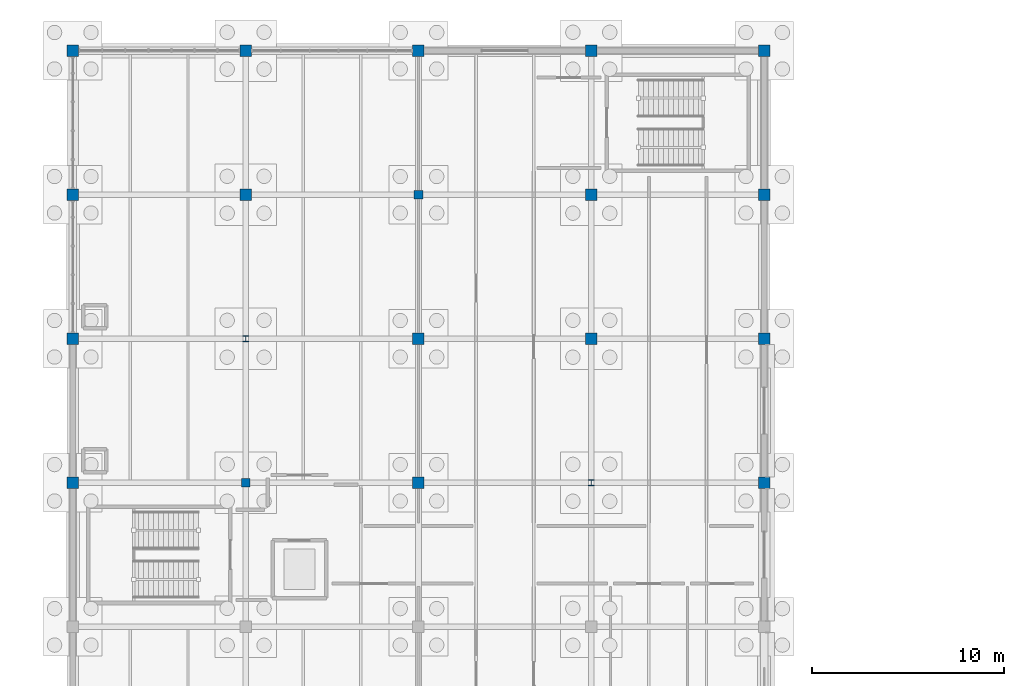
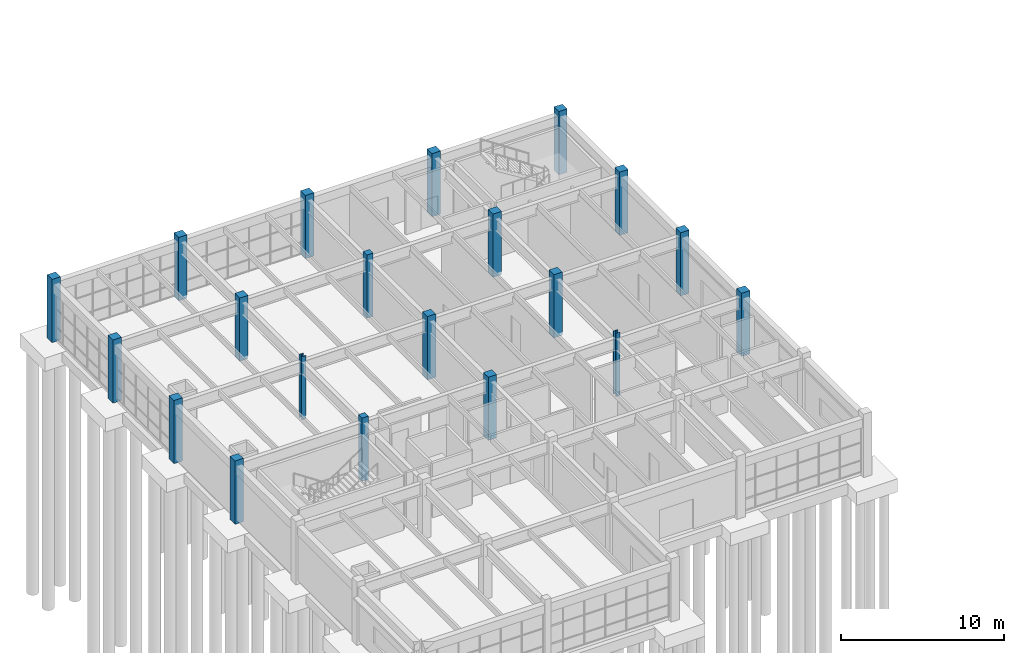
# One storey, part 12 of 93: 20 columns.
"""IFC4 building model written with IfcOpenShell, lengths in metres."""

from ifc_helpers import new_model, si_unit, direction, frame, origin, origin_2d, place, context, subcontext, project, spatial, rectangle, i_section, extrude, material, material_profile, profile_set, type_object, element, save


model = new_model("IFC4")

# Units and contexts
model_context = context("Model", 3, precision=1e-05, world=origin(), true_north=direction((0.0, 1.0)))
body_context = subcontext(model_context, "Body", "Model", "MODEL_VIEW")
ifc_project = project(units=[si_unit("LENGTHUNIT", "METRE"), si_unit("AREAUNIT", "SQUARE_METRE"), si_unit("VOLUMEUNIT", "CUBIC_METRE"), si_unit("PLANEANGLEUNIT", "RADIAN"), si_unit("MASSUNIT", "GRAM", prefix="KILO")], contexts=[model_context])

# Site, building, storey
site_placement = place(None, origin())
site = spatial("IfcSite", under=ifc_project, at=site_placement, CompositionType="ELEMENT")
building_placement = place(site_placement, origin())
building = spatial("IfcBuilding", under=site, at=building_placement, Name="Marnridge Secondary College", CompositionType="ELEMENT")
storey_placement = place(building_placement, origin())
storey = spatial("IfcBuildingStorey", under=building, at=storey_placement, Name="L00", CompositionType="ELEMENT", Elevation=0.0)

# Columns
ifc_material_1 = material(Name="Concrete C40/50 (AS 3600 N40, 40 MPa)", Category="concrete")
ifc_material_profile_1 = material_profile(ifc_material_1, rectangle(XDim=0.449951171875, YDim=0.449951171875, at=origin_2d()), Name="RC 450x450")
ifc_profile_set_1 = profile_set([ifc_material_profile_1], Name="Concrete C40/50 (AS 3600 N40, 40 MPa)")
column_type_1 = type_object("IfcColumnType", Name="CL-RC450-INT", PredefinedType="COLUMN", material=ifc_profile_set_1)
for number, where, z_axis, x_axis, name in (
    (1, (9.0, 97.5, -0.25), (0.0, 0.0, 1.0), (1.0, 0.0, 0.0), "Column C-L00-0533"),
    (2, (18.0, 112.5, -0.25), (0.0, 0.0, 1.0), (1.0, 0.0, 0.0), "Column C-L00-0589"),
):
    element("IfcColumn", number, at=place(storey_placement, frame(where, z_axis=z_axis, x_axis=x_axis)), inside=storey, type_object=column_type_1, Name=name, PredefinedType="COLUMN", context=body_context, shape_type="SweptSolid", body=[
        extrude(rectangle(XDim=0.449951171875, YDim=0.449951171875, at=origin_2d()), origin(), (0.0, 0.0, 1.0), 4.75),
    ])
ifc_material_2 = material(Name="Concrete C40/50 (AS 3600 N40, 40 MPa)", Category="concrete")
ifc_material_profile_2 = material_profile(ifc_material_2, rectangle(XDim=0.60009765625, YDim=0.60009765625, at=origin_2d()), Name="RC 600x600")
ifc_profile_set_2 = profile_set([ifc_material_profile_2], Name="Concrete C40/50 (AS 3600 N40, 40 MPa)")
column_type_2 = type_object("IfcColumnType", Name="CL-RC600-EXT", PredefinedType="COLUMN", material=ifc_profile_set_2)
for number, where, z_axis, x_axis, name in (
    (3, (0.0, 97.5, -0.25), (0.0, 0.0, 1.0), (1.0, 0.0, 0.0), "Column C-L00-0529"),
    (4, (36.0, 97.5, -0.25), (0.0, 0.0, 1.0), (1.0, 0.0, 0.0), "Column C-L00-0545"),
    (5, (0.0, 105.0, -0.25), (0.0, 0.0, 1.0), (1.0, 0.0, 0.0), "Column C-L00-0555"),
    (6, (36.0, 105.0, -0.25), (0.0, 0.0, 1.0), (1.0, 0.0, 0.0), "Column C-L00-0571"),
    (7, (0.0, 112.5, -0.25), (0.0, 0.0, 1.0), (1.0, 0.0, 0.0), "Column C-L00-0581"),
    (8, (36.0, 112.5, -0.25), (0.0, 0.0, 1.0), (1.0, 0.0, 0.0), "Column C-L00-0597"),
    (9, (0.0, 120.0, -0.25), (0.0, 0.0, 1.0), (1.0, 0.0, 0.0), "Column C-L00-0607"),
    (10, (9.0, 120.0, -0.25), (0.0, 0.0, 1.0), (1.0, 0.0, 0.0), "Column C-L00-0611"),
    (11, (18.0, 120.0, -0.25), (0.0, 0.0, 1.0), (1.0, 0.0, 0.0), "Column C-L00-0615"),
    (12, (27.0, 120.0, -0.25), (0.0, 0.0, 1.0), (1.0, 0.0, 0.0), "Column C-L00-0619"),
    (13, (36.0, 120.0, -0.25), (0.0, 0.0, 1.0), (1.0, 0.0, 0.0), "Column C-L00-0623"),
):
    element("IfcColumn", number, at=place(storey_placement, frame(where, z_axis=z_axis, x_axis=x_axis)), inside=storey, type_object=column_type_2, Name=name, PredefinedType="COLUMN", context=body_context, shape_type="SweptSolid", body=[
        extrude(rectangle(XDim=0.60009765625, YDim=0.60009765625, at=origin_2d()), origin(), (0.0, 0.0, 1.0), 4.75),
    ])
ifc_material_3 = material(Name="Concrete C40/50 (AS 3600 N40, 40 MPa)", Category="concrete")
ifc_material_profile_3 = material_profile(ifc_material_3, rectangle(XDim=0.60009765625, YDim=0.60009765625, at=origin_2d()), Name="RC 600x600")
ifc_profile_set_3 = profile_set([ifc_material_profile_3], Name="Concrete C40/50 (AS 3600 N40, 40 MPa)")
column_type_3 = type_object("IfcColumnType", Name="CL-RC600-INT", PredefinedType="COLUMN", material=ifc_profile_set_3)
for number, where, z_axis, x_axis, name in (
    (14, (18.0, 97.5, -0.25), (0.0, 0.0, 1.0), (1.0, 0.0, 0.0), "Column C-L00-0537"),
    (15, (18.0, 105.0, -0.25), (0.0, 0.0, 1.0), (1.0, 0.0, 0.0), "Column C-L00-0563"),
    (16, (27.0, 105.0, -0.25), (0.0, 0.0, 1.0), (1.0, 0.0, 0.0), "Column C-L00-0567"),
    (17, (9.0, 112.5, -0.25), (0.0, 0.0, 1.0), (1.0, 0.0, 0.0), "Column C-L00-0585"),
    (18, (27.0, 112.5, -0.25), (0.0, 0.0, 1.0), (1.0, 0.0, 0.0), "Column C-L00-0593"),
):
    element("IfcColumn", number, at=place(storey_placement, frame(where, z_axis=z_axis, x_axis=x_axis)), inside=storey, type_object=column_type_3, Name=name, PredefinedType="COLUMN", context=body_context, shape_type="SweptSolid", body=[
        extrude(rectangle(XDim=0.60009765625, YDim=0.60009765625, at=origin_2d()), origin(), (0.0, 0.0, 1.0), 4.75),
    ])
ifc_material_4 = material(Name="Structural steel Grade 350 (AS/NZS 3679.1/.2, fy = 340-360 MPa)", Category="steel")
ifc_material_profile_4 = material_profile(ifc_material_4, i_section(OverallWidth=0.30908203125, OverallDepth=0.320556640625, WebThickness=0.013916015625, FlangeThickness=0.021728515625, FilletRadius=0.0166015625, at=origin_2d()), Name="310UC137")
ifc_profile_set_4 = profile_set([ifc_material_profile_4], Name="Structural steel Grade 350 (AS/NZS 3679.1/.2, fy = 340-360 MPa)")
column_type_4 = type_object("IfcColumnType", Name="CL-UC310-INT", PredefinedType="COLUMN", material=ifc_profile_set_4)
for number, where, z_axis, x_axis, name in (
    (19, (27.0, 97.5, -0.25), (0.0, 0.0, 1.0), (1.0, 0.0, 0.0), "Column C-L00-0541"),
    (20, (9.0, 105.0, -0.25), (0.0, 0.0, 1.0), (1.0, 0.0, 0.0), "Column C-L00-0559"),
):
    element("IfcColumn", number, at=place(storey_placement, frame(where, z_axis=z_axis, x_axis=x_axis)), inside=storey, type_object=column_type_4, Name=name, PredefinedType="COLUMN", context=body_context, shape_type="SweptSolid", body=[
        extrude(i_section(OverallWidth=0.30908203125, OverallDepth=0.320556640625, WebThickness=0.013916015625, FlangeThickness=0.021728515625, FilletRadius=0.0166015625, at=origin_2d()), origin(), (0.0, 0.0, 1.0), 4.75),
    ])

save(model, "model.ifc")
